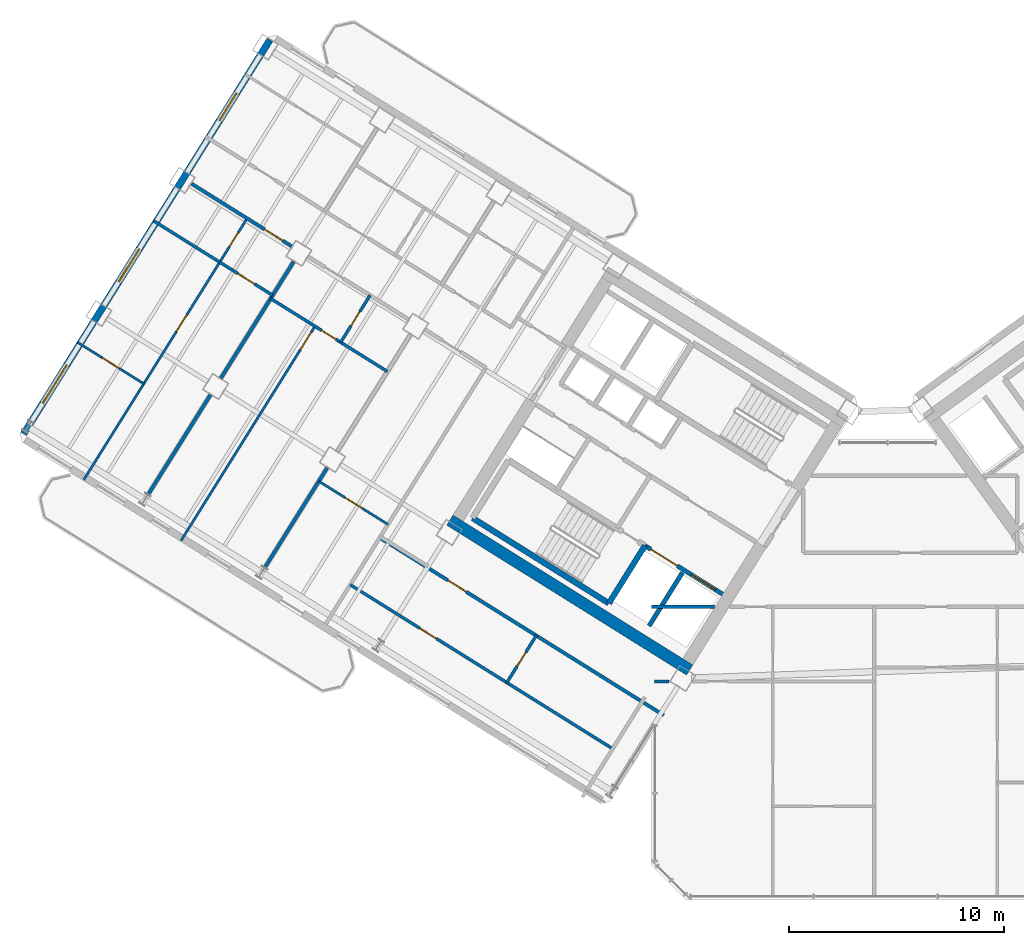
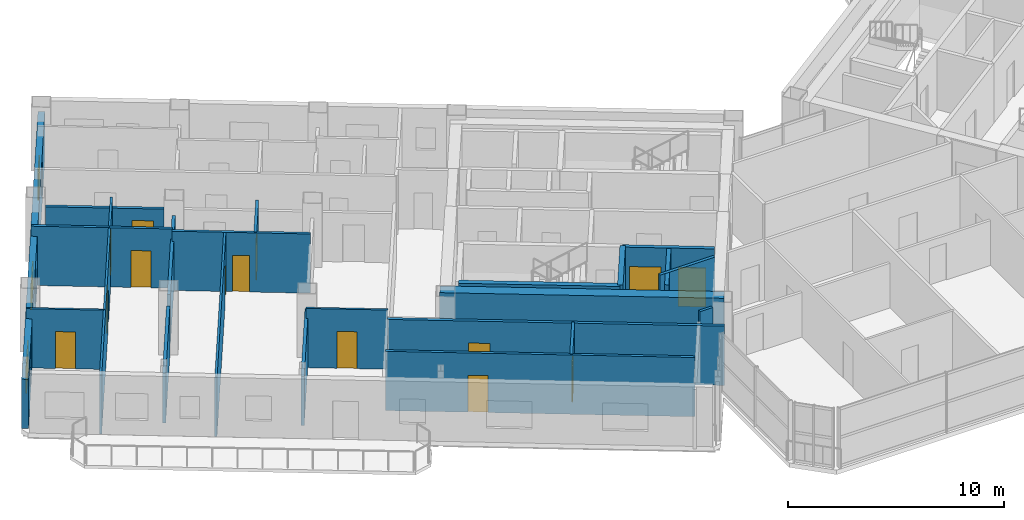
# One storey, part 16 of 25: 23 walls, 14 doors, 3 windows, 17 openings.
"""IFC4 building model written with IfcOpenShell, lengths in metres."""

from ifc_helpers import new_model, si_unit, direction, frame, frame_2d, origin, place, context, subcontext, project, spatial, rectangle, extrude, source, transform, mapped, material, layer, layer_set, type_object, element, fill, save


model = new_model("IFC4")

# Units and contexts
model_context = context("Model", 3, precision=1e-05, world=origin(), true_north=direction((0.0, 1.0)))
body_context = subcontext(model_context, "Body", "Model", "MODEL_VIEW")
ifc_project = project(units=[si_unit("LENGTHUNIT", "METRE"), si_unit("AREAUNIT", "SQUARE_METRE"), si_unit("VOLUMEUNIT", "CUBIC_METRE"), si_unit("PLANEANGLEUNIT", "RADIAN"), si_unit("MASSUNIT", "GRAM", prefix="KILO")], contexts=[model_context])

# Site, building, storey
site_placement = place(None, origin())
site = spatial("IfcSite", under=ifc_project, at=site_placement, CompositionType="ELEMENT")
building_placement = place(site_placement, origin())
building = spatial("IfcBuilding", under=site, at=building_placement, Name="Tlacorven Tower", CompositionType="ELEMENT")
storey_placement = place(building_placement, frame((0.0, 0.0, 162.300048828125)))
storey = spatial("IfcBuildingStorey", under=building, at=storey_placement, Name="L41", CompositionType="ELEMENT", Elevation=162.300048828125)

# Wall
ifc_material_1 = material(Name="Concrete C60/75", Category="concrete")
ifc_layer_1 = layer(ifc_material_1, 0.550048828125)
ifc_layer_set_1 = layer_set([ifc_layer_1], Name="Concrete C60/75")
wall_type_1 = type_object("IfcWallType", Name="WL-COR-550", PredefinedType="SHEAR", material=ifc_layer_set_1)
wall_1_placement = place(storey_placement, frame((33.3662109375, 12.4765625, 0.0), z_axis=(0.0, 0.0, 1.0), x_axis=(-0.848047359947, 0.529920442413, 0.0)))
element("IfcWall", 1, at=wall_1_placement, inside=storey, type_object=wall_type_1, Name="L41 W core shear wall S2", PredefinedType="SHEAR", context=body_context, shape_type="SweptSolid", body=[
    extrude(rectangle(XDim=13.139892578125, YDim=0.550048828125, at=frame_2d((6.56982421875, 0.0))), origin(), (0.0, 0.0, 1.0), 3.349853515625),
])

# Wall, opening, door
ifc_material_2 = material(Name="Gypsum plasterboard acoustic partition", Category="gypsum")
ifc_layer_2 = layer(ifc_material_2, 0.159912109375)
ifc_layer_set_2 = layer_set([ifc_layer_2], Name="Gypsum plasterboard acoustic partition")
wall_type_2 = type_object("IfcWallType", Name="WL-DEM-160", PredefinedType="PARTITIONING", material=ifc_layer_set_2)
wall_2_placement = place(storey_placement, frame((14.86572265625, 32.173095703125, 0.0), z_axis=(0.0, 0.0, 1.0), x_axis=(-0.848053401719, 0.529910773464, 0.0)))
wall_2 = element("IfcWall", 2, at=wall_2_placement, inside=storey, type_object=wall_type_2, Name="L41 Wing W Corridor North Wall", PredefinedType="PARTITIONING", context=body_context, shape_type="SweptSolid", body=[
    extrude(rectangle(XDim=5.47607421875, YDim=0.159912109375, at=frame_2d((2.738037109375, 0.0))), origin(), (0.0, 0.0, 1.0), 2.77490234375),
])
opening_1_placement = place(wall_2_placement, frame((0.488037109375, 0.0, 0.0)))
opening_1 = element("IfcOpeningElement", 3, at=opening_1_placement, cuts=wall_2, Name="Opening D11", PredefinedType="OPENING", context=body_context, shape_type="SweptSolid", body=[
    extrude(rectangle(XDim=1.0, YDim=2.10009765625, at=frame_2d((0.5, 1.050048828125))), frame((0.0, 0.08984375, 0.0), z_axis=(0.0, -1.0, 0.0), x_axis=(1.0, 0.0, 0.0)), (0.0, 0.0, 1.0), 0.179931640625),
])
ifc_material_3 = material(Name="Fire-rated steel door assembly", Category="steel")
door_type_1 = type_object("IfcDoorType", Name="DR-FLT-FD60-1000", OperationType="NOTDEFINED", PredefinedType="DOOR", material=ifc_material_3)
shared_shape_1 = source(origin(), body_context, "Body", "SweptSolid", [
    extrude(rectangle(XDim=1.0, YDim=2.10009765625, at=frame_2d((0.5, 1.050048828125))), frame((0.0, 0.02490234375, 0.0), z_axis=(0.0, -1.0, 0.0), x_axis=(1.0, 0.0, 0.0)), (0.0, 0.0, 1.0), 0.050048828125),
])
door_1_placement = place(opening_1_placement, origin())
door_1 = element("IfcDoor", 4, at=door_1_placement, inside=storey, type_object=door_type_1, Name="L41 door 029", OperationType="SINGLE_SWING_RIGHT", OverallHeight=2.10009765625, OverallWidth=1.0, PredefinedType="DOOR", context=body_context, shape_type="MappedRepresentation", body=[
    mapped(shared_shape_1, transform((0.0, 0.0, 0.0), scale=1.0)),
])
fill(opening_1, door_1)

# Walls
wall_3_placement = place(storey_placement, frame((16.518798828125, 21.86962890625, 0.0), z_axis=(0.0, 0.0, 1.0), x_axis=(-0.529922447305, -0.848046107144, 0.0)))
element("IfcWall", 5, at=wall_3_placement, inside=storey, type_object=wall_type_2, Name="L41 WN Demising Wall 1", PredefinedType="PARTITIONING", context=body_context, shape_type="SweptSolid", body=[
    extrude(rectangle(XDim=5.451171875, YDim=0.159912109375, at=frame_2d((2.7255859375, 0.0))), origin(), (0.0, 0.0, 1.0), 2.77490234375),
])
wall_4_placement = place(storey_placement, frame((14.959716796875, 31.45166015625, 0.0), z_axis=(0.0, 0.0, 1.0), x_axis=(-0.529947310719, -0.848030570122, 0.0)))
element("IfcWall", 6, at=wall_4_placement, inside=storey, type_object=wall_type_2, Name="L41 WN Demising Wall 2", PredefinedType="PARTITIONING", context=body_context, shape_type="SweptSolid", body=[
    extrude(rectangle(XDim=6.3759765625, YDim=0.159912109375, at=frame_2d((3.18798828125, 0.0))), origin(), (0.0, 0.0, 1.0), 2.77490234375),
])
wall_5_placement = place(storey_placement, frame((11.09130859375, 25.260986328125, 0.0), z_axis=(0.0, 0.0, 1.0), x_axis=(-0.52994257524, -0.848033529377, 0.0)))
element("IfcWall", 7, at=wall_5_placement, inside=storey, type_object=wall_type_2, Name="L41 WN Demising Wall 2", PredefinedType="PARTITIONING", context=body_context, shape_type="SweptSolid", body=[
    extrude(rectangle(XDim=5.450927734375, YDim=0.159912109375, at=frame_2d((2.7255859375, 0.0))), origin(), (0.0, 0.0, 1.0), 2.77490234375),
])

# Wall, opening, door
wall_6_placement = place(storey_placement, frame((32.164306640625, 10.373779296875, 0.0), z_axis=(0.0, 0.0, 1.0), x_axis=(-0.848044107957, 0.529925646633, 0.0)))
wall_6 = element("IfcWall", 8, at=wall_6_placement, inside=storey, type_object=wall_type_2, Name="L41 partition 68", PredefinedType="PARTITIONING", context=body_context, shape_type="SweptSolid", body=[
    extrude(rectangle(XDim=15.570068359375, YDim=0.159912109375, at=frame_2d((7.78515625, 0.0))), origin(), (0.0, 0.0, 1.0), 3.33984375),
])
opening_2_placement = place(wall_6_placement, frame((10.830078125, 0.0, 0.0)))
opening_2 = element("IfcOpeningElement", 9, at=opening_2_placement, cuts=wall_6, Name="Opening D11", PredefinedType="OPENING", context=body_context, shape_type="SweptSolid", body=[
    extrude(rectangle(XDim=1.0, YDim=2.10009765625, at=frame_2d((0.5, 1.050048828125))), frame((0.0, 0.08984375, 0.0), z_axis=(0.0, -1.0, 0.0), x_axis=(1.0, 0.0, 0.0)), (0.0, 0.0, 1.0), 0.179931640625),
])
door_2_placement = place(opening_2_placement, origin())
door_2 = element("IfcDoor", 10, at=door_2_placement, inside=storey, type_object=door_type_1, Name="L41 door 042", OperationType="SINGLE_SWING_RIGHT", OverallHeight=2.10009765625, OverallWidth=1.0, PredefinedType="DOOR", context=body_context, shape_type="MappedRepresentation", body=[
    mapped(shared_shape_1, transform((0.0, 0.0, 0.0), scale=1.0)),
])
fill(opening_2, door_2)

# Wall
wall_7_placement = place(storey_placement, frame((31.60009765625, 15.419921875, 0.0), z_axis=(0.0, 0.0, 1.0), x_axis=(1.0, 0.0, 0.0)))
element("IfcWall", 11, at=wall_7_placement, inside=storey, type_object=wall_type_2, Name="L41 Knuckle Corridor South Wall", PredefinedType="PARTITIONING", context=body_context, shape_type="SweptSolid", body=[
    extrude(rectangle(XDim=2.925048828125, YDim=0.159912109375, at=frame_2d((1.46240234375, 0.0))), origin(), (0.0, 0.0, 1.0), 3.33984375),
])

# Wall, openings, windows
ifc_material_4 = material(Name="Precast concrete C45/55", Category="concrete")
ifc_layer_3 = layer(ifc_material_4, 0.320068359375)
ifc_layer_set_3 = layer_set([ifc_layer_3], Name="Precast concrete C45/55")
wall_type_3 = type_object("IfcWallType", Name="WL-EXT-320", PredefinedType="STANDARD", material=ifc_layer_set_3)
wall_8_placement = place(storey_placement, frame((2.41455078125, 23.452392578125, 0.0), z_axis=(0.0, 0.0, 1.0), x_axis=(0.52991049553, 0.848053575387, 0.0)))
wall_8 = element("IfcWall", 12, at=wall_8_placement, inside=storey, type_object=wall_type_3, Name="L41 Masonry-Frame Recessed Facade Wall 2", PredefinedType="STANDARD", context=body_context, shape_type="SweptSolid", body=[
    extrude(rectangle(XDim=21.58740234375, YDim=0.320068359375, at=frame_2d((10.793701171875, 0.0))), origin(), (0.0, 0.0, 1.0), 2.77490234375),
])
opening_3_placement = place(wall_8_placement, frame((1.673095703125, 0.0, 0.800048828125)))
opening_3 = element("IfcOpeningElement", 13, at=opening_3_placement, cuts=wall_8, Name="Opening WN04", PredefinedType="OPENING", context=body_context, shape_type="SweptSolid", body=[
    extrude(rectangle(XDim=2.10009765625, YDim=1.550048828125, at=frame_2d((1.050048828125, 0.77490234375))), frame((0.0, 0.169921875, 0.0), z_axis=(0.0, -1.0, 0.0), x_axis=(1.0, 0.0, 0.0)), (0.0, 0.0, 1.0), 0.340087890625),
])
opening_4_placement = place(wall_8_placement, frame((8.333740234375, 0.0, 0.85009765625)))
opening_4 = element("IfcOpeningElement", 14, at=opening_4_placement, cuts=wall_8, Name="Opening WN01", PredefinedType="OPENING", context=body_context, shape_type="SweptSolid", body=[
    extrude(rectangle(XDim=1.800048828125, YDim=1.5, at=frame_2d((0.89990234375, 0.75))), frame((0.0, 0.169921875, 0.0), z_axis=(0.0, -1.0, 0.0), x_axis=(1.0, 0.0, 0.0)), (0.0, 0.0, 1.0), 0.340087890625),
])
opening_5_placement = place(wall_8_placement, frame((17.172119140625, 0.0, 0.85009765625)))
opening_5 = element("IfcOpeningElement", 15, at=opening_5_placement, cuts=wall_8, Name="Opening WN02", PredefinedType="OPENING", context=body_context, shape_type="SweptSolid", body=[
    extrude(rectangle(XDim=1.5, YDim=1.5, at=frame_2d((0.75, 0.75))), frame((0.0, 0.169921875, 0.0), z_axis=(0.0, -1.0, 0.0), x_axis=(1.0, 0.0, 0.0)), (0.0, 0.0, 1.0), 0.340087890625),
])
ifc_material_5 = material(Name="Dark solar low-E double glazing in anodised aluminium frame", Category="aluminium")
window_type_1 = type_object("IfcWindowType", Name="WN-APT-2100X1750", PartitioningType="SINGLE_PANEL", PredefinedType="WINDOW", material=ifc_material_5)
shared_shape_2 = source(origin(), body_context, "Body", "SweptSolid", [
    extrude(rectangle(XDim=2.10009765625, YDim=1.550048828125, at=frame_2d((1.050048828125, 0.77490234375))), frame((0.0, 0.030029296875, 0.0), z_axis=(0.0, -1.0, 0.0), x_axis=(1.0, 0.0, 0.0)), (0.0, 0.0, 1.0), 0.06005859375),
])
window_1_placement = place(opening_3_placement, origin())
window_1 = element("IfcWindow", 16, at=window_1_placement, inside=storey, type_object=window_type_1, Name="L41 Recessed Masonry-Frame Window L41-02.1", OverallHeight=1.550048828125, OverallWidth=2.10009765625, PartitioningType="SINGLE_PANEL", PredefinedType="WINDOW", context=body_context, shape_type="MappedRepresentation", body=[
    mapped(shared_shape_2, transform((0.0, 0.0, 0.0), scale=1.0)),
])
fill(opening_3, window_1)
window_type_2 = type_object("IfcWindowType", Name="WN-APT-1800X1650", PartitioningType="SINGLE_PANEL", PredefinedType="WINDOW", material=ifc_material_5)
shared_shape_3 = source(origin(), body_context, "Body", "SweptSolid", [
    extrude(rectangle(XDim=1.800048828125, YDim=1.5, at=frame_2d((0.89990234375, 0.75))), frame((0.0, 0.030029296875, 0.0), z_axis=(0.0, -1.0, 0.0), x_axis=(1.0, 0.0, 0.0)), (0.0, 0.0, 1.0), 0.06005859375),
])
window_2_placement = place(opening_4_placement, origin())
window_2 = element("IfcWindow", 17, at=window_2_placement, inside=storey, type_object=window_type_2, Name="L41 Recessed Masonry-Frame Window L41-02.2", OverallHeight=1.5, OverallWidth=1.800048828125, PartitioningType="SINGLE_PANEL", PredefinedType="WINDOW", context=body_context, shape_type="MappedRepresentation", body=[
    mapped(shared_shape_3, transform((0.0, 0.0, 0.0), scale=1.0)),
])
fill(opening_4, window_2)
window_type_3 = type_object("IfcWindowType", Name="WN-APT-1500X1650", PartitioningType="SINGLE_PANEL", PredefinedType="WINDOW", material=ifc_material_5)
shared_shape_4 = source(origin(), body_context, "Body", "SweptSolid", [
    extrude(rectangle(XDim=1.5, YDim=1.5, at=frame_2d((0.75, 0.75))), frame((0.0, 0.030029296875, 0.0), z_axis=(0.0, -1.0, 0.0), x_axis=(1.0, 0.0, 0.0)), (0.0, 0.0, 1.0), 0.06005859375),
])
window_3_placement = place(opening_5_placement, origin())
window_3 = element("IfcWindow", 18, at=window_3_placement, inside=storey, type_object=window_type_3, Name="L41 Recessed Masonry-Frame Window L41-02.3", OverallHeight=1.5, OverallWidth=1.5, PartitioningType="SINGLE_PANEL", PredefinedType="WINDOW", context=body_context, shape_type="MappedRepresentation", body=[
    mapped(shared_shape_4, transform((0.0, 0.0, 0.0), scale=1.0)),
])
fill(opening_5, window_3)

# Wall, opening, door
ifc_material_6 = material(Name="Gypsum plasterboard partition", Category="gypsum")
ifc_layer_4 = layer(ifc_material_6, 0.110107421875)
ifc_layer_set_4 = layer_set([ifc_layer_4], Name="Gypsum plasterboard partition")
wall_type_4 = type_object("IfcWallType", Name="WL-INT-110", PredefinedType="PARTITIONING", material=ifc_layer_set_4)
wall_9_placement = place(storey_placement, frame((19.345947265625, 19.2421875, 0.0), z_axis=(0.0, 0.0, 1.0), x_axis=(-0.848059820872, 0.529900500304, 0.0)))
wall_9 = element("IfcWall", 19, at=wall_9_placement, inside=storey, type_object=wall_type_4, Name="L41 partition 51", PredefinedType="PARTITIONING", context=body_context, shape_type="SweptSolid", body=[
    extrude(rectangle(XDim=3.7900390625, YDim=0.110107421875, at=frame_2d((1.89501953125, 0.0))), origin(), (0.0, 0.0, 1.0), 3.33984375),
])
opening_6_placement = place(wall_9_placement, frame((1.43505859375, 0.0, 0.0)))
opening_6 = element("IfcOpeningElement", 20, at=opening_6_placement, cuts=wall_9, Name="Opening D12", PredefinedType="OPENING", context=body_context, shape_type="SweptSolid", body=[
    extrude(rectangle(XDim=0.919921875, YDim=2.080078125, at=frame_2d((0.4599609375, 1.0400390625))), frame((0.0, 0.06494140625, 0.0), z_axis=(0.0, -1.0, 0.0), x_axis=(1.0, 0.0, 0.0)), (0.0, 0.0, 1.0), 0.130126953125),
])
ifc_material_7 = material(Name="Powder-coated aluminium and timber door", Category="wood")
door_type_2 = type_object("IfcDoorType", Name="DR-INT-ROOM-0920", OperationType="NOTDEFINED", PredefinedType="DOOR", material=ifc_material_7)
shared_shape_5 = source(origin(), body_context, "Body", "SweptSolid", [
    extrude(rectangle(XDim=0.919921875, YDim=2.080078125, at=frame_2d((0.4599609375, 1.0400390625))), frame((0.0, 0.02490234375, 0.0), z_axis=(0.0, -1.0, 0.0), x_axis=(1.0, 0.0, 0.0)), (0.0, 0.0, 1.0), 0.050048828125),
])
door_3_placement = place(opening_6_placement, origin())
door_3 = element("IfcDoor", 21, at=door_3_placement, inside=storey, type_object=door_type_2, Name="L41 door 023", OperationType="SINGLE_SWING_LEFT", OverallHeight=2.080078125, OverallWidth=0.919921875, PredefinedType="DOOR", context=body_context, shape_type="MappedRepresentation", body=[
    mapped(shared_shape_5, transform((0.0, 0.0, 0.0), scale=1.0)),
])
fill(opening_6, door_3)

wall_10_placement = place(storey_placement, frame((15.952880859375, 28.45166015625, 0.0), z_axis=(0.0, 0.0, 1.0), x_axis=(-0.529931645041, -0.848040359643, 0.0)))
wall_10 = element("IfcWall", 22, at=wall_10_placement, inside=storey, type_object=wall_type_4, Name="L41 partition 55", PredefinedType="PARTITIONING", context=body_context, shape_type="SweptSolid", body=[
    extrude(rectangle(XDim=11.739990234375, YDim=0.110107421875, at=frame_2d((5.8701171875, 0.0))), origin(), (0.0, 0.0, 1.0), 3.33984375),
])
opening_7_placement = place(wall_10_placement, frame((0.35009765625, 0.0, 0.0)))
opening_7 = element("IfcOpeningElement", 23, at=opening_7_placement, cuts=wall_10, Name="Opening D12", PredefinedType="OPENING", context=body_context, shape_type="SweptSolid", body=[
    extrude(rectangle(XDim=0.919921875, YDim=2.080078125, at=frame_2d((0.4599609375, 1.0400390625))), frame((0.0, 0.06494140625, 0.0), z_axis=(0.0, -1.0, 0.0), x_axis=(1.0, 0.0, 0.0)), (0.0, 0.0, 1.0), 0.130126953125),
])
door_4_placement = place(opening_7_placement, origin())
door_4 = element("IfcDoor", 24, at=door_4_placement, inside=storey, type_object=door_type_2, Name="L41 door 024", OperationType="SINGLE_SWING_RIGHT", OverallHeight=2.080078125, OverallWidth=0.919921875, PredefinedType="DOOR", context=body_context, shape_type="MappedRepresentation", body=[
    mapped(shared_shape_5, transform((0.0, 0.0, 0.0), scale=1.0)),
])
fill(opening_7, door_4)

# Wall, openings, doors
wall_11_placement = place(storey_placement, frame((12.798095703125, 33.465087890625, 0.0), z_axis=(0.0, 0.0, 1.0), x_axis=(-0.529916182913, -0.848050021571, 0.0)))
wall_11 = element("IfcWall", 25, at=wall_11_placement, inside=storey, type_object=wall_type_4, Name="L41 partition 56", PredefinedType="PARTITIONING", context=body_context, shape_type="SweptSolid", body=[
    extrude(rectangle(XDim=14.320068359375, YDim=0.110107421875, at=frame_2d((7.16015625, 0.0))), origin(), (0.0, 0.0, 1.0), 3.33984375),
])
opening_8_placement = place(wall_11_placement, frame((0.760009765625, 0.0, 0.0)))
opening_8 = element("IfcOpeningElement", 26, at=opening_8_placement, cuts=wall_11, Name="Opening D22", PredefinedType="OPENING", context=body_context, shape_type="SweptSolid", body=[
    extrude(rectangle(XDim=0.780029296875, YDim=2.050048828125, at=frame_2d((0.39013671875, 1.02490234375))), frame((0.0, 0.06494140625, 0.0), z_axis=(0.0, -1.0, 0.0), x_axis=(1.0, 0.0, 0.0)), (0.0, 0.0, 1.0), 0.130126953125),
])
opening_9_placement = place(wall_11_placement, frame((5.280517578125, 0.0, 0.0)))
opening_9 = element("IfcOpeningElement", 27, at=opening_9_placement, cuts=wall_11, Name="Opening D12", PredefinedType="OPENING", context=body_context, shape_type="SweptSolid", body=[
    extrude(rectangle(XDim=0.919921875, YDim=2.080078125, at=frame_2d((0.4599609375, 1.0400390625))), frame((0.0, 0.06494140625, 0.0), z_axis=(0.0, -1.0, 0.0), x_axis=(1.0, 0.0, 0.0)), (0.0, 0.0, 1.0), 0.130126953125),
])
door_type_3 = type_object("IfcDoorType", Name="DR-INT-WET-0780", OperationType="NOTDEFINED", PredefinedType="DOOR", material=ifc_material_7)
shared_shape_6 = source(origin(), body_context, "Body", "SweptSolid", [
    extrude(rectangle(XDim=0.780029296875, YDim=2.050048828125, at=frame_2d((0.39013671875, 1.02490234375))), frame((0.0, 0.02490234375, 0.0), z_axis=(0.0, -1.0, 0.0), x_axis=(1.0, 0.0, 0.0)), (0.0, 0.0, 1.0), 0.050048828125),
])
door_5_placement = place(opening_8_placement, origin())
door_5 = element("IfcDoor", 28, at=door_5_placement, inside=storey, type_object=door_type_3, Name="L41 door 031", OperationType="SINGLE_SWING_LEFT", OverallHeight=2.050048828125, OverallWidth=0.780029296875, PredefinedType="DOOR", context=body_context, shape_type="MappedRepresentation", body=[
    mapped(shared_shape_6, transform((0.0, 0.0, 0.0), scale=1.0)),
])
fill(opening_8, door_5)
door_6_placement = place(opening_9_placement, origin())
door_6 = element("IfcDoor", 29, at=door_6_placement, inside=storey, type_object=door_type_2, Name="L41 door 032", OperationType="SINGLE_SWING_RIGHT", OverallHeight=2.080078125, OverallWidth=0.919921875, PredefinedType="DOOR", context=body_context, shape_type="MappedRepresentation", body=[
    mapped(shared_shape_5, transform((0.0, 0.0, 0.0), scale=1.0)),
])
fill(opening_9, door_6)

# Wall, opening, door
wall_12_placement = place(storey_placement, frame((7.99658203125, 25.781005859375, 0.0), z_axis=(0.0, 0.0, 1.0), x_axis=(-0.848051346257, 0.52991406295, 0.0)))
wall_12 = element("IfcWall", 30, at=wall_12_placement, inside=storey, type_object=wall_type_4, Name="L41 partition 60", PredefinedType="PARTITIONING", context=body_context, shape_type="SweptSolid", body=[
    extrude(rectangle(XDim=3.619873046875, YDim=0.110107421875, at=frame_2d((1.81005859375, 0.0))), origin(), (0.0, 0.0, 1.0), 3.33984375),
])
opening_10_placement = place(wall_12_placement, frame((1.35009765625, 0.0, 0.0)))
opening_10 = element("IfcOpeningElement", 31, at=opening_10_placement, cuts=wall_12, Name="Opening D12", PredefinedType="OPENING", context=body_context, shape_type="SweptSolid", body=[
    extrude(rectangle(XDim=0.919921875, YDim=2.080078125, at=frame_2d((0.4599609375, 1.0400390625))), frame((0.0, 0.06494140625, 0.0), z_axis=(0.0, -1.0, 0.0), x_axis=(1.0, 0.0, 0.0)), (0.0, 0.0, 1.0), 0.130126953125),
])
door_7_placement = place(opening_10_placement, origin())
door_7 = element("IfcDoor", 32, at=door_7_placement, inside=storey, type_object=door_type_2, Name="L41 door 033", OperationType="SINGLE_SWING_LEFT", OverallHeight=2.080078125, OverallWidth=0.919921875, PredefinedType="DOOR", context=body_context, shape_type="MappedRepresentation", body=[
    mapped(shared_shape_5, transform((0.0, 0.0, 0.0), scale=1.0)),
])
fill(opening_10, door_7)

ifc_material_8 = material(Name="Moisture-resistant gypsum plumbing wall", Category="gypsum")
ifc_layer_5 = layer(ifc_material_8, 0.139892578125)
ifc_layer_set_5 = layer_set([ifc_layer_5], Name="Moisture-resistant gypsum plumbing wall")
wall_type_5 = type_object("IfcWallType", Name="WL-PLM-140", PredefinedType="PLUMBINGWALL", material=ifc_layer_set_5)
wall_13_placement = place(storey_placement, frame((19.31787109375, 26.348876953125, 0.0), z_axis=(0.0, 0.0, 1.0), x_axis=(-0.848039019877, 0.529933789039, 0.0)))
wall_13 = element("IfcWall", 33, at=wall_13_placement, inside=storey, type_object=wall_type_5, Name="L41 partition 53", PredefinedType="PLUMBINGWALL", context=body_context, shape_type="SweptSolid", body=[
    extrude(rectangle(XDim=6.400146484375, YDim=0.139892578125, at=frame_2d((3.2001953125, 0.0))), origin(), (0.0, 0.0, 1.0), 3.33984375),
])
opening_11_placement = place(wall_13_placement, frame((2.823974609375, 0.0, 0.0)))
opening_11 = element("IfcOpeningElement", 34, at=opening_11_placement, cuts=wall_13, Name="Opening D22", PredefinedType="OPENING", context=body_context, shape_type="SweptSolid", body=[
    extrude(rectangle(XDim=0.780029296875, YDim=2.050048828125, at=frame_2d((0.39013671875, 1.02490234375))), frame((0.0, 0.080078125, 0.0), z_axis=(0.0, -1.0, 0.0), x_axis=(1.0, 0.0, 0.0)), (0.0, 0.0, 1.0), 0.159912109375),
])
door_8_placement = place(opening_11_placement, origin())
door_8 = element("IfcDoor", 35, at=door_8_placement, inside=storey, type_object=door_type_3, Name="L41 door 026", OperationType="SINGLE_SWING_RIGHT", OverallHeight=2.050048828125, OverallWidth=0.780029296875, PredefinedType="DOOR", context=body_context, shape_type="MappedRepresentation", body=[
    mapped(shared_shape_6, transform((0.0, 0.0, 0.0), scale=1.0)),
])
fill(opening_11, door_8)

wall_14_placement = place(storey_placement, frame((18.513916015625, 29.8935546875, 0.0), z_axis=(0.0, 0.0, 1.0), x_axis=(-0.529913878929, -0.848051461244, 0.0)))
wall_14 = element("IfcWall", 36, at=wall_14_placement, inside=storey, type_object=wall_type_5, Name="L41 partition 54", PredefinedType="PLUMBINGWALL", context=body_context, shape_type="SweptSolid", body=[
    extrude(rectangle(XDim=2.580078125, YDim=0.139892578125, at=frame_2d((1.2900390625, 0.0))), origin(), (0.0, 0.0, 1.0), 3.33984375),
])
opening_12_placement = place(wall_14_placement, frame((0.89990234375, 0.0, 0.0)))
opening_12 = element("IfcOpeningElement", 37, at=opening_12_placement, cuts=wall_14, Name="Opening D22", PredefinedType="OPENING", context=body_context, shape_type="SweptSolid", body=[
    extrude(rectangle(XDim=0.780029296875, YDim=2.050048828125, at=frame_2d((0.39013671875, 1.02490234375))), frame((0.0, 0.080078125, 0.0), z_axis=(0.0, -1.0, 0.0), x_axis=(1.0, 0.0, 0.0)), (0.0, 0.0, 1.0), 0.159912109375),
])
door_9_placement = place(opening_12_placement, origin())
door_9 = element("IfcDoor", 38, at=door_9_placement, inside=storey, type_object=door_type_3, Name="L41 door 027", OperationType="SINGLE_SWING_LEFT", OverallHeight=2.050048828125, OverallWidth=0.780029296875, PredefinedType="DOOR", context=body_context, shape_type="MappedRepresentation", body=[
    mapped(shared_shape_6, transform((0.0, 0.0, 0.0), scale=1.0)),
])
fill(opening_12, door_9)

wall_15_placement = place(storey_placement, frame((13.985595703125, 29.89306640625, 0.0), z_axis=(0.0, 0.0, 1.0), x_axis=(-0.84802195137, 0.529961102341, 0.0)))
wall_15 = element("IfcWall", 39, at=wall_15_placement, inside=storey, type_object=wall_type_5, Name="L41 partition 58", PredefinedType="PLUMBINGWALL", context=body_context, shape_type="SweptSolid", body=[
    extrude(rectangle(XDim=2.89990234375, YDim=0.139892578125, at=frame_2d((1.449951171875, 0.0))), origin(), (0.0, 0.0, 1.0), 3.33984375),
])
opening_13_placement = place(wall_15_placement, frame((0.989990234375, 0.0, 0.0)))
opening_13 = element("IfcOpeningElement", 40, at=opening_13_placement, cuts=wall_15, Name="Opening D12", PredefinedType="OPENING", context=body_context, shape_type="SweptSolid", body=[
    extrude(rectangle(XDim=0.919921875, YDim=2.080078125, at=frame_2d((0.4599609375, 1.0400390625))), frame((0.0, 0.080078125, 0.0), z_axis=(0.0, -1.0, 0.0), x_axis=(1.0, 0.0, 0.0)), (0.0, 0.0, 1.0), 0.159912109375),
])
door_10_placement = place(opening_13_placement, origin())
door_10 = element("IfcDoor", 41, at=door_10_placement, inside=storey, type_object=door_type_2, Name="L41 door 030", OperationType="SINGLE_SWING_RIGHT", OverallHeight=2.080078125, OverallWidth=0.919921875, PredefinedType="DOOR", context=body_context, shape_type="MappedRepresentation", body=[
    mapped(shared_shape_5, transform((0.0, 0.0, 0.0), scale=1.0)),
])
fill(opening_13, door_10)

# Wall
wall_16_placement = place(storey_placement, frame((11.5263671875, 31.429931640625, 0.0), z_axis=(0.0, 0.0, 1.0), x_axis=(-0.848051346257, 0.52991406295, 0.0)))
element("IfcWall", 42, at=wall_16_placement, inside=storey, type_object=wall_type_5, Name="L41 partition 59", PredefinedType="PLUMBINGWALL", context=body_context, shape_type="SweptSolid", body=[
    extrude(rectangle(XDim=3.619873046875, YDim=0.139892578125, at=frame_2d((1.81005859375, 0.0))), origin(), (0.0, 0.0, 1.0), 3.33984375),
])

# Wall, opening, door
wall_17_placement = place(storey_placement, frame((29.72021484375, 8.85888671875, 0.0), z_axis=(0.0, 0.0, 1.0), x_axis=(-0.848049134363, 0.529917602752, 0.0)))
wall_17 = element("IfcWall", 43, at=wall_17_placement, inside=storey, type_object=wall_type_5, Name="L41 partition 70", PredefinedType="PLUMBINGWALL", context=body_context, shape_type="SweptSolid", body=[
    extrude(rectangle(XDim=14.300048828125, YDim=0.139892578125, at=frame_2d((7.14990234375, 0.0))), origin(), (0.0, 0.0, 1.0), 3.33984375),
])
opening_14_placement = place(wall_17_placement, frame((9.570068359375, 0.0, 0.0)))
opening_14 = element("IfcOpeningElement", 44, at=opening_14_placement, cuts=wall_17, Name="Opening D12", PredefinedType="OPENING", context=body_context, shape_type="SweptSolid", body=[
    extrude(rectangle(XDim=0.919921875, YDim=2.080078125, at=frame_2d((0.4599609375, 1.0400390625))), frame((0.0, 0.080078125, 0.0), z_axis=(0.0, -1.0, 0.0), x_axis=(1.0, 0.0, 0.0)), (0.0, 0.0, 1.0), 0.159912109375),
])
door_11_placement = place(opening_14_placement, origin())
door_11 = element("IfcDoor", 45, at=door_11_placement, inside=storey, type_object=door_type_2, Name="L41 door 043", OperationType="SINGLE_SWING_LEFT", OverallHeight=2.080078125, OverallWidth=0.919921875, PredefinedType="DOOR", context=body_context, shape_type="MappedRepresentation", body=[
    mapped(shared_shape_5, transform((0.0, 0.0, 0.0), scale=1.0)),
])
fill(opening_14, door_11)

wall_18_placement = place(storey_placement, frame((26.236572265625, 14.077880859375, 0.0), z_axis=(0.0, 0.0, 1.0), x_axis=(-0.52995640672, -0.848024885824, 0.0)))
wall_18 = element("IfcWall", 46, at=wall_18_placement, inside=storey, type_object=wall_type_5, Name="L41 partition 71", PredefinedType="PLUMBINGWALL", context=body_context, shape_type="SweptSolid", body=[
    extrude(rectangle(XDim=2.579833984375, YDim=0.139892578125, at=frame_2d((1.2900390625, 0.0))), origin(), (0.0, 0.0, 1.0), 3.33984375),
])
opening_15_placement = place(wall_18_placement, frame((0.89990234375, 0.0, 0.0)))
opening_15 = element("IfcOpeningElement", 47, at=opening_15_placement, cuts=wall_18, Name="Opening D22", PredefinedType="OPENING", context=body_context, shape_type="SweptSolid", body=[
    extrude(rectangle(XDim=0.780029296875, YDim=2.050048828125, at=frame_2d((0.39013671875, 1.02490234375))), frame((0.0, 0.080078125, 0.0), z_axis=(0.0, -1.0, 0.0), x_axis=(1.0, 0.0, 0.0)), (0.0, 0.0, 1.0), 0.159912109375),
])
door_12_placement = place(opening_15_placement, origin())
door_12 = element("IfcDoor", 48, at=door_12_placement, inside=storey, type_object=door_type_3, Name="L41 door 044", OperationType="SINGLE_SWING_RIGHT", OverallHeight=2.050048828125, OverallWidth=0.780029296875, PredefinedType="DOOR", context=body_context, shape_type="MappedRepresentation", body=[
    mapped(shared_shape_6, transform((0.0, 0.0, 0.0), scale=1.0)),
])
fill(opening_15, door_12)

# Wall
wall_19_placement = place(storey_placement, frame((31.739990234375, 11.949951171875, 0.0), z_axis=(0.0, 0.0, 1.0), x_axis=(1.0, 0.0, 0.0)))
element("IfcWall", 49, at=wall_19_placement, inside=storey, type_object=wall_type_5, Name="L41 partition 81", PredefinedType="PLUMBINGWALL", context=body_context, shape_type="SweptSolid", body=[
    extrude(rectangle(XDim=0.67578125, YDim=0.139892578125, at=frame_2d((0.337890625, 0.0))), origin(), (0.0, 0.0, 1.0), 3.33984375),
])

# Wall, openings, doors
ifc_material_9 = material(Name="Concrete C40/50", Category="concrete")
ifc_layer_6 = layer(ifc_material_9, 0.199951171875)
ifc_layer_set_6 = layer_set([ifc_layer_6], Name="Concrete C40/50")
wall_type_6 = type_object("IfcWallType", Name="WL-SHF-200", PredefinedType="STANDARD", material=ifc_layer_set_6)
wall_20_placement = place(storey_placement, frame((34.890625, 16.0048828125, 0.0), z_axis=(0.0, 0.0, 1.0), x_axis=(-0.848062873452, 0.529895614884, 0.0)))
wall_20 = element("IfcWall", 50, at=wall_20_placement, inside=storey, type_object=wall_type_6, Name="L41 Core W Firefighting Lift Shaft Front Wall", PredefinedType="STANDARD", context=body_context, shape_type="SweptSolid", body=[
    extrude(rectangle(XDim=4.248046875, YDim=0.199951171875, at=frame_2d((2.1240234375, 0.0))), origin(), (0.0, 0.0, 1.0), 3.33984375),
])
opening_16_placement = place(wall_20_placement, frame((0.39794921875, 0.0, 0.0)))
opening_16 = element("IfcOpeningElement", 51, at=opening_16_placement, cuts=wall_20, Name="Opening LD03", PredefinedType="OPENING", context=body_context, shape_type="SweptSolid", body=[
    extrude(rectangle(XDim=1.300048828125, YDim=2.199951171875, at=frame_2d((0.64990234375, 1.10009765625))), frame((0.0, 0.10986328125, 0.0), z_axis=(0.0, -1.0, 0.0), x_axis=(1.0, 0.0, 0.0)), (0.0, 0.0, 1.0), 0.219970703125),
])
opening_17_placement = place(wall_20_placement, frame((2.472900390625, 0.0, 0.0)))
opening_17 = element("IfcOpeningElement", 52, at=opening_17_placement, cuts=wall_20, Name="Opening LD04", PredefinedType="OPENING", context=body_context, shape_type="SweptSolid", body=[
    extrude(rectangle(XDim=1.449951171875, YDim=2.25, at=frame_2d((0.72509765625, 1.125))), frame((0.0, 0.10986328125, 0.0), z_axis=(0.0, -1.0, 0.0), x_axis=(1.0, 0.0, 0.0)), (0.0, 0.0, 1.0), 0.219970703125),
])
door_type_4 = type_object("IfcDoorType", Name="DR-LFT-SLID-1300", OperationType="DOUBLE_DOOR_SLIDING", PredefinedType="DOOR", material=ifc_material_3)
shared_shape_7 = source(origin(), body_context, "Body", "SweptSolid", [
    extrude(rectangle(XDim=1.300048828125, YDim=2.199951171875, at=frame_2d((0.64990234375, 1.10009765625))), frame((0.0, 0.02490234375, 0.0), z_axis=(0.0, -1.0, 0.0), x_axis=(1.0, 0.0, 0.0)), (0.0, 0.0, 1.0), 0.050048828125),
])
door_13_placement = place(opening_16_placement, origin())
door_13 = element("IfcDoor", 53, at=door_13_placement, inside=storey, type_object=door_type_4, Name="L41 Lift FFL-W1 Sliding Landing Door", OperationType="DOUBLE_DOOR_SLIDING", OverallHeight=2.199951171875, OverallWidth=1.300048828125, PredefinedType="DOOR", context=body_context, shape_type="MappedRepresentation", body=[
    mapped(shared_shape_7, transform((0.0, 0.0, 0.0), scale=1.0)),
])
fill(opening_16, door_13)
door_type_5 = type_object("IfcDoorType", Name="DR-LFT-SLID-1450", OperationType="DOUBLE_DOOR_SLIDING", PredefinedType="DOOR", material=ifc_material_3)
shared_shape_8 = source(origin(), body_context, "Body", "SweptSolid", [
    extrude(rectangle(XDim=1.449951171875, YDim=2.25, at=frame_2d((0.72509765625, 1.125))), frame((0.0, 0.02490234375, 0.0), z_axis=(0.0, -1.0, 0.0), x_axis=(1.0, 0.0, 0.0)), (0.0, 0.0, 1.0), 0.050048828125),
])
door_14_placement = place(opening_17_placement, origin())
door_14 = element("IfcDoor", 54, at=door_14_placement, inside=storey, type_object=door_type_5, Name="L41 Lift SVL-W1 Sliding Landing Door", OperationType="DOUBLE_DOOR_SLIDING", OverallHeight=2.25, OverallWidth=1.449951171875, PredefinedType="DOOR", context=body_context, shape_type="MappedRepresentation", body=[
    mapped(shared_shape_8, transform((0.0, 0.0, 0.0), scale=1.0)),
])
fill(opening_17, door_14)

# Walls
wall_21_placement = place(storey_placement, frame((33.02880859375, 17.003173828125, 0.0), z_axis=(0.0, 0.0, 1.0), x_axis=(-0.529916267533, -0.848049968695, 0.0)))
element("IfcWall", 55, at=wall_21_placement, inside=storey, type_object=wall_type_6, Name="L41 partition 14", PredefinedType="STANDARD", context=body_context, shape_type="SweptSolid", body=[
    extrude(rectangle(XDim=2.919921875, YDim=0.199951171875, at=frame_2d((1.4599609375, 0.0))), origin(), (0.0, 0.0, 1.0), 3.33984375),
])
ifc_material_10 = material(Name="Concrete C50/60", Category="concrete")
ifc_layer_7 = layer(ifc_material_10, 0.260009765625)
ifc_layer_set_7 = layer_set([ifc_layer_7], Name="Concrete C50/60")
wall_type_7 = type_object("IfcWallType", Name="WL-STW-260", PredefinedType="SHEAR", material=ifc_layer_set_7)
wall_22_placement = place(storey_placement, frame((29.60498046875, 15.581298828125, 0.0), z_axis=(0.0, 0.0, 1.0), x_axis=(-0.848036911448, 0.529937163087, 0.0)))
element("IfcWall", 56, at=wall_22_placement, inside=storey, type_object=wall_type_7, Name="L41 Stair W1 Far Shear Wall", PredefinedType="SHEAR", context=body_context, shape_type="SweptSolid", body=[
    extrude(rectangle(XDim=7.4599609375, YDim=0.260009765625, at=frame_2d((3.72998046875, 0.0))), origin(), (0.0, 0.0, 1.0), 3.349853515625),
])
wall_23_placement = place(storey_placement, frame((31.2880859375, 18.255859375, 0.0), z_axis=(0.0, 0.0, 1.0), x_axis=(-0.529943379326, -0.848033026897, 0.0)))
element("IfcWall", 57, at=wall_23_placement, inside=storey, type_object=wall_type_7, Name="L41 Stair W1 West Shear Wall", PredefinedType="SHEAR", context=body_context, shape_type="SweptSolid", body=[
    extrude(rectangle(XDim=3.159912109375, YDim=0.260009765625, at=frame_2d((1.580078125, 0.0))), origin(), (0.0, 0.0, 1.0), 3.349853515625),
])

save(model, "model.ifc")
